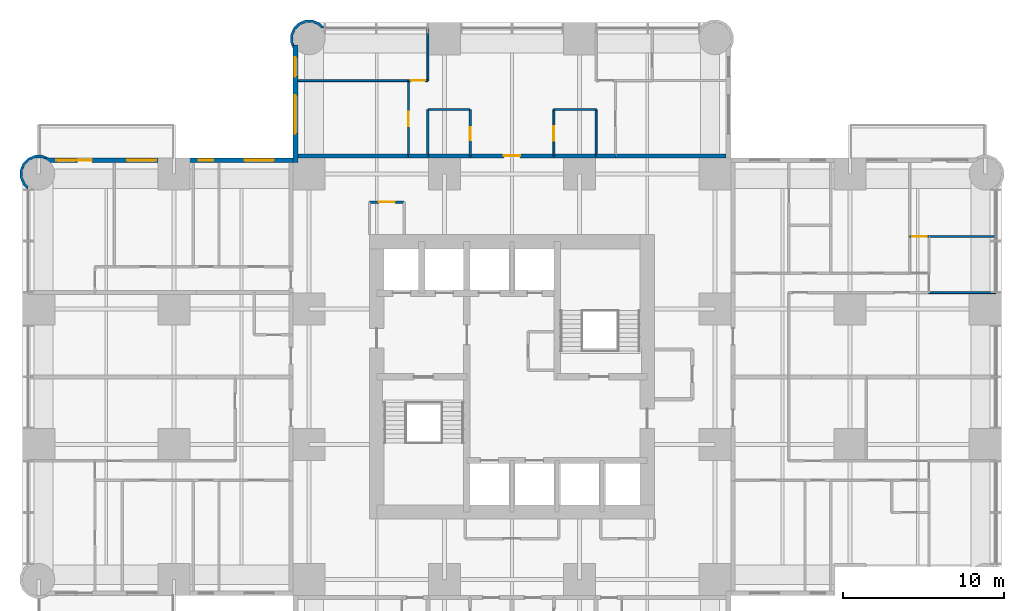
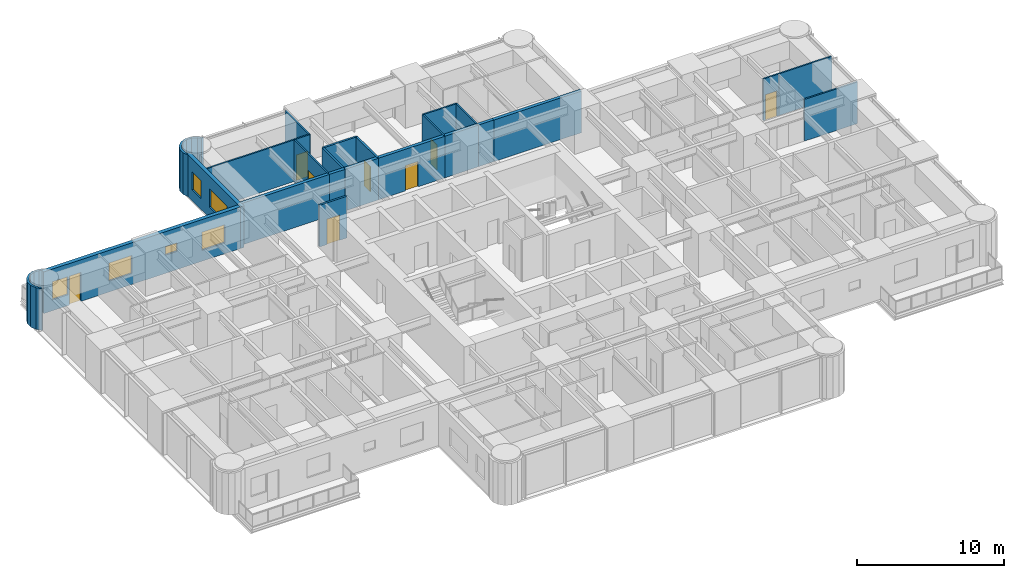
# One storey, part 11 of 14: 25 walls, 8 doors, 6 windows, 14 openings.
"""IFC4 building model written with IfcOpenShell, lengths in metres."""

from ifc_helpers import new_model, si_unit, direction, frame, frame_2d, origin, place, context, subcontext, project, spatial, polyline, rectangle, outline, extrude, material, layer, layer_set, type_object, element, fill, save


model = new_model("IFC4")

# Units and contexts
model_context = context("Model", 3, precision=1e-05, world=origin(), true_north=direction((0.0, 1.0)))
body_context = subcontext(model_context, "Body", "Model", "MODEL_VIEW")
ifc_project = project(units=[si_unit("LENGTHUNIT", "METRE"), si_unit("AREAUNIT", "SQUARE_METRE"), si_unit("VOLUMEUNIT", "CUBIC_METRE"), si_unit("PLANEANGLEUNIT", "RADIAN"), si_unit("MASSUNIT", "GRAM", prefix="KILO")], contexts=[model_context])

# Site, building, storey
site_placement = place(None, origin())
site = spatial("IfcSite", under=ifc_project, at=site_placement, CompositionType="ELEMENT")
building_placement = place(site_placement, origin())
building = spatial("IfcBuilding", under=site, at=building_placement, Name="Torre Alcanfor", CompositionType="ELEMENT")
storey_placement = place(building_placement, frame((0.0, 0.0, 112.5)))
storey = spatial("IfcBuildingStorey", under=building, at=storey_placement, Name="L28", CompositionType="ELEMENT", Elevation=112.5)

# Wall, opening, door
ifc_material_1 = material(Name="Concrete block masonry, hollow blocks NMX-C-404 9 MPa", Category="masonry")
ifc_layer_1 = layer(ifc_material_1, 0.25)
ifc_layer_set_1 = layer_set([ifc_layer_1], Name="Apartment entrance wall 250 EI 60")
wall_type_1 = type_object("IfcWallType", Name="Apartment entrance wall 250 EI 60", PredefinedType="PARTITIONING", material=ifc_layer_set_1)
wall_1_placement = place(storey_placement, frame((26.800048828125, 43.125, 0.0), z_axis=(0.0, 0.0, 1.0), x_axis=(1.0, 0.0, 0.0)))
wall_1 = element("IfcWall", 1, at=wall_1_placement, inside=storey, type_object=wall_type_1, Name="Partition L28-CORR / L28-NX-ZAG", PredefinedType="PARTITIONING", context=body_context, shape_type="SweptSolid", body=[
    extrude(rectangle(XDim=5.199951171875, YDim=0.25, at=frame_2d((2.60009765625, 0.0))), origin(), (0.0, 0.0, 1.0), 3.449951171875),
])
opening_1_placement = place(wall_1_placement, frame((2.10009765625, 0.0, 0.0)))
opening_1 = element("IfcOpeningElement", 2, at=opening_1_placement, cuts=wall_1, Name="Opening D-A1", PredefinedType="OPENING", context=body_context, shape_type="SweptSolid", body=[
    extrude(rectangle(XDim=1.0, YDim=2.10009765625, at=frame_2d((0.5, 1.050048828125))), frame((0.0, 0.135009765625, 0.0), z_axis=(0.0, -1.0, 0.0), x_axis=(1.0, 0.0, 0.0)), (0.0, 0.0, 1.0), 0.27001953125),
])
ifc_material_2 = material(Name="Galvanised steel sheet ASTM A653", Category="steel")
door_type_1 = type_object("IfcDoorType", Name="Apartment entrance door FD60 1000x2100", OperationType="SINGLE_SWING_LEFT", PredefinedType="DOOR", material=ifc_material_2)
door_1_placement = place(opening_1_placement, origin())
door_1 = element("IfcDoor", 3, at=door_1_placement, inside=storey, type_object=door_type_1, Name="Apartment entrance L28-NX", OperationType="SINGLE_SWING_LEFT", OverallHeight=2.10009765625, OverallWidth=1.0, PredefinedType="DOOR", context=body_context, shape_type="SweptSolid", body=[
    extrude(rectangle(XDim=1.0, YDim=2.10009765625, at=frame_2d((0.5, 1.050048828125))), frame((0.0, 0.02490234375, 0.0), z_axis=(0.0, -1.0, 0.0), x_axis=(1.0, 0.0, 0.0)), (0.0, 0.0, 1.0), 0.050048828125),
])
fill(opening_1, door_1)

# Walls
wall_2_placement = place(storey_placement, frame((24.1708984375, 43.125, 0.0), z_axis=(0.0, 0.0, 1.0), x_axis=(1.0, 0.0, 0.0)))
element("IfcWall", 4, at=wall_2_placement, inside=storey, type_object=wall_type_1, Name="Partition L28-CORR / L28-NX-BATH2", PredefinedType="PARTITIONING", context=body_context, shape_type="SweptSolid", body=[
    extrude(rectangle(XDim=2.629150390625, YDim=0.25, at=frame_2d((1.314453125, 0.0))), origin(), (0.0, 0.0, 1.0), 3.449951171875),
])
wall_3_placement = place(storey_placement, frame((32.0, 43.125, 0.0), z_axis=(0.0, 0.0, 1.0), x_axis=(1.0, 0.0, 0.0)))
element("IfcWall", 5, at=wall_3_placement, inside=storey, type_object=wall_type_1, Name="Partition L28-CORR / L28-NX-KITCHEN", PredefinedType="PARTITIONING", context=body_context, shape_type="SweptSolid", body=[
    extrude(rectangle(XDim=2.62890625, YDim=0.25, at=frame_2d((1.314453125, 0.0))), origin(), (0.0, 0.0, 1.0), 3.449951171875),
])
wall_4_placement = place(storey_placement, frame((22.970947265625, 43.125, 0.0), z_axis=(0.0, 0.0, 1.0), x_axis=(1.0, 0.0, 0.0)))
element("IfcWall", 6, at=wall_4_placement, inside=storey, type_object=wall_type_1, Name="Partition L28-CORR / L28-NX-LIVING", PredefinedType="PARTITIONING", context=body_context, shape_type="SweptSolid", body=[
    extrude(rectangle(XDim=1.199951171875, YDim=0.25, at=frame_2d((0.60009765625, 0.0))), origin(), (0.0, 0.0, 1.0), 3.449951171875),
])
wall_5_placement = place(storey_placement, frame((34.62890625, 43.125, 0.0), z_axis=(0.0, 0.0, 1.0), x_axis=(1.0, 0.0, 0.0)))
element("IfcWall", 7, at=wall_5_placement, inside=storey, type_object=wall_type_1, Name="Partition L28-CORR / L28-NX-LIVING", PredefinedType="PARTITIONING", context=body_context, shape_type="SweptSolid", body=[
    extrude(rectangle(XDim=1.2001953125, YDim=0.25, at=frame_2d((0.60009765625, 0.0))), origin(), (0.0, 0.0, 1.0), 3.449951171875),
])
for number, where, z_axis, x_axis, name in (
    (8, (16.10009765625, 43.125, 0.0), (0.0, 0.0, 1.0), (1.0, 0.0, 0.0), "Partition L28-CORR / L28-NX-BED2"),
    (9, (35.8291015625, 43.125, 0.0), (0.0, 0.0, 1.0), (1.0, 0.0, 0.0), "Partition L28-CORR / L28-NX-BED3"),
):
    element("IfcWall", number, at=place(storey_placement, frame(where, z_axis=z_axis, x_axis=x_axis)), inside=storey, type_object=wall_type_1, Name=name, PredefinedType="PARTITIONING", context=body_context, shape_type="SweptSolid", body=[
        extrude(rectangle(XDim=6.870849609375, YDim=0.25, at=frame_2d((3.435546875, 0.0))), origin(), (0.0, 0.0, 1.0), 3.449951171875),
    ])

# Wall, opening, door
ifc_material_3 = material(Name="Gypsum board on steel studs", Category="steel")
ifc_layer_2 = layer(ifc_material_3, 0.1201171875)
ifc_layer_set_2 = layer_set([ifc_layer_2], Name="Apartment partition 120")
wall_type_2 = type_object("IfcWallType", Name="Apartment partition 120", PredefinedType="PARTITIONING", material=ifc_layer_set_2)
wall_6_placement = place(storey_placement, frame((32.0, 43.125, 0.0), z_axis=(0.0, 0.0, 1.0), x_axis=(0.0, 1.0, 0.0)))
wall_6 = element("IfcWall", 10, at=wall_6_placement, inside=storey, type_object=wall_type_2, Name="Partition L28-NX-ZAG / L28-NX-KITCHEN", PredefinedType="PARTITIONING", context=body_context, shape_type="SweptSolid", body=[
    extrude(rectangle(XDim=2.875, YDim=0.1201171875, at=frame_2d((1.4375, 0.0))), origin(), (0.0, 0.0, 1.0), 3.449951171875),
])
opening_2_placement = place(wall_6_placement, frame((0.925048828125, 0.0, 0.0)))
opening_2 = element("IfcOpeningElement", 11, at=opening_2_placement, cuts=wall_6, Name="Opening D-R1", PredefinedType="OPENING", context=body_context, shape_type="SweptSolid", body=[
    extrude(rectangle(XDim=0.89990234375, YDim=2.10009765625, at=frame_2d((0.449951171875, 1.050048828125))), frame((0.0, 0.070068359375, 0.0), z_axis=(0.0, -1.0, 0.0), x_axis=(1.0, 0.0, 0.0)), (0.0, 0.0, 1.0), 0.14013671875),
])
ifc_material_4 = material(Name="Timber", Category="wood")
door_type_2 = type_object("IfcDoorType", Name="Internal door 900x2100", OperationType="SINGLE_SWING_LEFT", PredefinedType="DOOR", material=ifc_material_4)
door_2_placement = place(opening_2_placement, frame((0.89990234375, 0.0, 0.0), z_axis=(0.0, 0.0, 1.0), x_axis=(-1.0, 0.0, 0.0)))
door_2 = element("IfcDoor", 12, at=door_2_placement, inside=storey, type_object=door_type_2, Name="Door L28-NX kitchen", OperationType="SINGLE_SWING_RIGHT", OverallHeight=2.10009765625, OverallWidth=0.89990234375, PredefinedType="DOOR", context=body_context, shape_type="SweptSolid", body=[
    extrude(rectangle(XDim=0.89990234375, YDim=2.10009765625, at=frame_2d((0.449951171875, 1.050048828125))), frame((0.0, 0.025146484375, 0.0), z_axis=(0.0, -1.0, 0.0), x_axis=(1.0, 0.0, 0.0)), (0.0, 0.0, 1.0), 0.050048828125),
])
fill(opening_2, door_2)

# Walls
wall_7_placement = place(storey_placement, frame((34.62890625, 43.125, 0.0), z_axis=(0.0, 0.0, 1.0), x_axis=(0.0, 1.0, 0.0)))
element("IfcWall", 13, at=wall_7_placement, inside=storey, type_object=wall_type_2, Name="Partition L28-NX-KITCHEN / L28-NX-LIVING", PredefinedType="PARTITIONING", context=body_context, shape_type="SweptSolid", body=[
    extrude(rectangle(XDim=2.875, YDim=0.1201171875, at=frame_2d((1.4375, 0.0))), origin(), (0.0, 0.0, 1.0), 3.449951171875),
])
wall_8_placement = place(storey_placement, frame((34.62890625, 46.0, 0.0), z_axis=(0.0, 0.0, 1.0), x_axis=(-1.0, 0.0, 0.0)))
element("IfcWall", 14, at=wall_8_placement, inside=storey, type_object=wall_type_2, Name="Partition L28-NX-KITCHEN / L28-NX-LIVING", PredefinedType="PARTITIONING", context=body_context, shape_type="SweptSolid", body=[
    extrude(rectangle(XDim=2.62890625, YDim=0.1201171875, at=frame_2d((1.314453125, 0.0))), origin(), (0.0, 0.0, 1.0), 3.449951171875),
])

# Wall, opening, door
wall_9_placement = place(storey_placement, frame((22.970947265625, 43.125, 0.0), z_axis=(0.0, 0.0, 1.0), x_axis=(0.0, 1.0, 0.0)))
wall_9 = element("IfcWall", 15, at=wall_9_placement, inside=storey, type_object=wall_type_2, Name="Partition L28-NX-LIVING / L28-NX-BED2", PredefinedType="PARTITIONING", context=body_context, shape_type="SweptSolid", body=[
    extrude(rectangle(XDim=4.675048828125, YDim=0.1201171875, at=frame_2d((2.33740234375, 0.0))), origin(), (0.0, 0.0, 1.0), 3.449951171875),
])
opening_3_placement = place(wall_9_placement, frame((1.824951171875, 0.0, 0.0)))
opening_3 = element("IfcOpeningElement", 16, at=opening_3_placement, cuts=wall_9, Name="Opening D-R1", PredefinedType="OPENING", context=body_context, shape_type="SweptSolid", body=[
    extrude(rectangle(XDim=0.89990234375, YDim=2.10009765625, at=frame_2d((0.449951171875, 1.050048828125))), frame((0.0, 0.070068359375, 0.0), z_axis=(0.0, -1.0, 0.0), x_axis=(1.0, 0.0, 0.0)), (0.0, 0.0, 1.0), 0.14013671875),
])
door_3_placement = place(opening_3_placement, origin())
door_3 = element("IfcDoor", 17, at=door_3_placement, inside=storey, type_object=door_type_2, Name="Door L28-NX bed2", OperationType="SINGLE_SWING_LEFT", OverallHeight=2.10009765625, OverallWidth=0.89990234375, PredefinedType="DOOR", context=body_context, shape_type="SweptSolid", body=[
    extrude(rectangle(XDim=0.89990234375, YDim=2.10009765625, at=frame_2d((0.449951171875, 1.050048828125))), frame((0.0, 0.02490234375, 0.0), z_axis=(0.0, -1.0, 0.0), x_axis=(1.0, 0.0, 0.0)), (0.0, 0.0, 1.0), 0.050048828125),
])
fill(opening_3, door_3)

wall_10_placement = place(storey_placement, frame((22.970947265625, 47.800048828125, 0.0), z_axis=(0.0, 0.0, 1.0), x_axis=(1.0, 0.0, 0.0)))
wall_10 = element("IfcWall", 18, at=wall_10_placement, inside=storey, type_object=wall_type_2, Name="Partition L28-NX-LIVING / L28-NX-MASTER", PredefinedType="PARTITIONING", context=body_context, shape_type="SweptSolid", body=[
    extrude(rectangle(XDim=1.199951171875, YDim=0.1201171875, at=frame_2d((0.60009765625, 0.0))), origin(), (0.0, 0.0, 1.0), 3.449951171875),
])
opening_4_placement = place(wall_10_placement, frame((0.14892578125, 0.0, 0.0)))
opening_4 = element("IfcOpeningElement", 19, at=opening_4_placement, cuts=wall_10, Name="Opening D-R1", PredefinedType="OPENING", context=body_context, shape_type="SweptSolid", body=[
    extrude(rectangle(XDim=0.89990234375, YDim=2.10009765625, at=frame_2d((0.449951171875, 1.050048828125))), frame((0.0, 0.070068359375, 0.0), z_axis=(0.0, -1.0, 0.0), x_axis=(1.0, 0.0, 0.0)), (0.0, 0.0, 1.0), 0.14013671875),
])
door_4_placement = place(opening_4_placement, origin())
door_4 = element("IfcDoor", 20, at=door_4_placement, inside=storey, type_object=door_type_2, Name="Door L28-NX master", OperationType="SINGLE_SWING_RIGHT", OverallHeight=2.10009765625, OverallWidth=0.89990234375, PredefinedType="DOOR", context=body_context, shape_type="SweptSolid", body=[
    extrude(rectangle(XDim=0.89990234375, YDim=2.10009765625, at=frame_2d((0.449951171875, 1.050048828125))), frame((0.0, 0.02490234375, 0.0), z_axis=(0.0, -1.0, 0.0), x_axis=(1.0, 0.0, 0.0)), (0.0, 0.0, 1.0), 0.050048828125),
])
fill(opening_4, door_4)

# Walls
wall_11_placement = place(storey_placement, frame((24.1708984375, 47.800048828125, 0.0), z_axis=(0.0, 0.0, 1.0), x_axis=(0.0, 1.0, 0.0)))
element("IfcWall", 21, at=wall_11_placement, inside=storey, type_object=wall_type_2, Name="Partition L28-NX-LIVING / L28-NX-MASTER", PredefinedType="PARTITIONING", context=body_context, shape_type="SweptSolid", body=[
    extrude(rectangle(XDim=3.25, YDim=0.1201171875, at=frame_2d((1.625, 0.0))), origin(), (0.0, 0.0, 1.0), 3.449951171875),
])
wall_12_placement = place(storey_placement, frame((22.970947265625, 47.800048828125, 0.0), z_axis=(0.0, 0.0, 1.0), x_axis=(-1.0, 0.0, 0.0)))
element("IfcWall", 22, at=wall_12_placement, inside=storey, type_object=wall_type_2, Name="Partition L28-NX-BED2 / L28-NX-MASTER", PredefinedType="PARTITIONING", context=body_context, shape_type="SweptSolid", body=[
    extrude(rectangle(XDim=6.870849609375, YDim=0.1201171875, at=frame_2d((3.435546875, 0.0))), origin(), (0.0, 0.0, 1.0), 3.449951171875),
])
wall_13_placement = place(storey_placement, frame((59.449951171875, 34.62890625, 0.0), z_axis=(0.0, 0.0, 1.0), x_axis=(-1.0, 0.0, 0.0)))
element("IfcWall", 23, at=wall_13_placement, inside=storey, type_object=wall_type_2, Name="Partition L28-E1-LIVING / L28-E1-BED2", PredefinedType="PARTITIONING", context=body_context, shape_type="SweptSolid", body=[
    extrude(rectangle(XDim=4.14990234375, YDim=0.1201171875, at=frame_2d((2.074951171875, 0.0))), origin(), (0.0, 0.0, 1.0), 3.449951171875),
])

# Wall, opening, door
wall_14_placement = place(storey_placement, frame((55.300048828125, 38.114013671875, 0.0), z_axis=(0.0, 0.0, 1.0), x_axis=(-1.0, 0.0, 0.0)))
wall_14 = element("IfcWall", 24, at=wall_14_placement, inside=storey, type_object=wall_type_2, Name="Partition L28-E1-VEST / L28-E1-MASTER", PredefinedType="PARTITIONING", context=body_context, shape_type="SweptSolid", body=[
    extrude(rectangle(XDim=1.199951171875, YDim=0.1201171875, at=frame_2d((0.60009765625, 0.0))), origin(), (0.0, 0.0, 1.0), 3.449951171875),
])
opening_5_placement = place(wall_14_placement, frame((0.14990234375, 0.0, 0.0)))
opening_5 = element("IfcOpeningElement", 25, at=opening_5_placement, cuts=wall_14, Name="Opening D-R1", PredefinedType="OPENING", context=body_context, shape_type="SweptSolid", body=[
    extrude(rectangle(XDim=0.89990234375, YDim=2.10009765625, at=frame_2d((0.449951171875, 1.050048828125))), frame((0.0, 0.070068359375, 0.0), z_axis=(0.0, -1.0, 0.0), x_axis=(1.0, 0.0, 0.0)), (0.0, 0.0, 1.0), 0.14013671875),
])
door_5_placement = place(opening_5_placement, origin())
door_5 = element("IfcDoor", 26, at=door_5_placement, inside=storey, type_object=door_type_2, Name="Door L28-E1 master", OperationType="SINGLE_SWING_LEFT", OverallHeight=2.10009765625, OverallWidth=0.89990234375, PredefinedType="DOOR", context=body_context, shape_type="SweptSolid", body=[
    extrude(rectangle(XDim=0.89990234375, YDim=2.10009765625, at=frame_2d((0.449951171875, 1.050048828125))), frame((0.0, 0.02490234375, 0.0), z_axis=(0.0, -1.0, 0.0), x_axis=(1.0, 0.0, 0.0)), (0.0, 0.0, 1.0), 0.050048828125),
])
fill(opening_5, door_5)

# Wall
wall_15_placement = place(storey_placement, frame((59.449951171875, 38.114013671875, 0.0), z_axis=(0.0, 0.0, 1.0), x_axis=(-1.0, 0.0, 0.0)))
element("IfcWall", 27, at=wall_15_placement, inside=storey, type_object=wall_type_2, Name="Partition L28-E1-BED2 / L28-E1-MASTER", PredefinedType="PARTITIONING", context=body_context, shape_type="SweptSolid", body=[
    extrude(rectangle(XDim=4.14990234375, YDim=0.1201171875, at=frame_2d((2.074951171875, 0.0))), origin(), (0.0, 0.0, 1.0), 3.449951171875),
])

# Wall, openings, door, windows
ifc_material_5 = material(Name="Limestone cladding", Category="masonry")
ifc_layer_3 = layer(ifc_material_5, 0.0400390625, Name="Facing")
ifc_material_6 = material(Name="Ventilated air cavity")
ifc_layer_4 = layer(ifc_material_6, 0.02001953125, ventilated=True, Name="Ventilated joint")
ifc_material_7 = material(Name="Mineral wool insulation", Category="insulation")
ifc_layer_5 = layer(ifc_material_7, 0.10009765625, Name="Insulation")
ifc_material_8 = material(Name="Concrete f'c 35 MPa", Category="concrete")
ifc_layer_6 = layer(ifc_material_8, 0.139892578125, Name="Backing")
ifc_layer_set_3 = layer_set([ifc_layer_3, ifc_layer_4, ifc_layer_5, ifc_layer_6], Name="External wall stone-clad 300")
wall_type_3 = type_object("IfcWallType", Name="External wall stone-clad 300", PredefinedType="SOLIDWALL", material=ifc_layer_set_3)
wall_16_placement = place(storey_placement, frame((15.800048828125, 42.85009765625, 0.0), z_axis=(0.0, 0.0, 1.0), x_axis=(-1.0, 0.0, 0.0)))
wall_16 = element("IfcWall", 28, at=wall_16_placement, inside=storey, type_object=wall_type_3, Name="External wall L28 1", PredefinedType="SOLIDWALL", context=body_context, shape_type="SweptSolid", body=[
    extrude(rectangle(XDim=15.400146484375, YDim=0.300048828125, at=frame_2d((7.7001953125, 0.0))), origin(), (0.0, 0.0, 1.0), 3.449951171875),
])
opening_6_placement = place(wall_16_placement, frame((1.199951171875, 0.0, 0.89990234375)))
opening_6 = element("IfcOpeningElement", 29, at=opening_6_placement, cuts=wall_16, Name="Opening W2", PredefinedType="OPENING", context=body_context, shape_type="SweptSolid", body=[
    extrude(rectangle(XDim=1.800048828125, YDim=1.5, at=frame_2d((0.89990234375, 0.75))), frame((0.0, 0.159912109375, 0.0), z_axis=(0.0, -1.0, 0.0), x_axis=(1.0, 0.0, 0.0)), (0.0, 0.0, 1.0), 0.320068359375),
])
opening_7_placement = place(wall_16_placement, frame((4.949951171875, 0.0, 1.5)))
opening_7 = element("IfcOpeningElement", 30, at=opening_7_placement, cuts=wall_16, Name="Opening W3", PredefinedType="OPENING", context=body_context, shape_type="SweptSolid", body=[
    extrude(rectangle(XDim=0.89990234375, YDim=0.699951171875, at=frame_2d((0.449951171875, 0.35009765625))), frame((0.0, 0.159912109375, 0.0), z_axis=(0.0, -1.0, 0.0), x_axis=(1.0, 0.0, 0.0)), (0.0, 0.0, 1.0), 0.320068359375),
])
opening_8_placement = place(wall_16_placement, frame((8.5, 0.0, 0.89990234375)))
opening_8 = element("IfcOpeningElement", 31, at=opening_8_placement, cuts=wall_16, Name="Opening W2", PredefinedType="OPENING", context=body_context, shape_type="SweptSolid", body=[
    extrude(rectangle(XDim=1.800048828125, YDim=1.5, at=frame_2d((0.89990234375, 0.75))), frame((0.0, 0.159912109375, 0.0), z_axis=(0.0, -1.0, 0.0), x_axis=(1.0, 0.0, 0.0)), (0.0, 0.0, 1.0), 0.320068359375),
])
opening_9_placement = place(wall_16_placement, frame((12.5, 0.0, 0.0)))
opening_9 = element("IfcOpeningElement", 32, at=opening_9_placement, cuts=wall_16, Name="Opening D-B1", PredefinedType="OPENING", context=body_context, shape_type="SweptSolid", body=[
    extrude(rectangle(XDim=0.89990234375, YDim=2.39990234375, at=frame_2d((0.449951171875, 1.199951171875))), frame((0.0, 0.159912109375, 0.0), z_axis=(0.0, -1.0, 0.0), x_axis=(1.0, 0.0, 0.0)), (0.0, 0.0, 1.0), 0.320068359375),
])
opening_10_placement = place(wall_16_placement, frame((13.5, 0.0, 0.89990234375)))
opening_10 = element("IfcOpeningElement", 33, at=opening_10_placement, cuts=wall_16, Name="Opening W4", PredefinedType="OPENING", context=body_context, shape_type="SweptSolid", body=[
    extrude(rectangle(XDim=1.199951171875, YDim=1.5, at=frame_2d((0.60009765625, 0.75))), frame((0.0, 0.159912109375, 0.0), z_axis=(0.0, -1.0, 0.0), x_axis=(1.0, 0.0, 0.0)), (0.0, 0.0, 1.0), 0.320068359375),
])
ifc_material_9 = material(Name="Aluminium and glass", Category="aluminium")
door_type_3 = type_object("IfcDoorType", Name="Balcony door glazed 900x2400", OperationType="SINGLE_SWING_LEFT", PredefinedType="DOOR", material=ifc_material_9)
door_6_placement = place(opening_9_placement, origin())
door_6 = element("IfcDoor", 34, at=door_6_placement, inside=storey, type_object=door_type_3, Name="Balcony door L28-W2", OperationType="SINGLE_SWING_LEFT", OverallHeight=2.39990234375, OverallWidth=0.89990234375, PredefinedType="DOOR", context=body_context, shape_type="SweptSolid", body=[
    extrude(rectangle(XDim=0.89990234375, YDim=2.39990234375, at=frame_2d((0.449951171875, 1.199951171875))), frame((0.0, 0.02490234375, 0.0), z_axis=(0.0, -1.0, 0.0), x_axis=(1.0, 0.0, 0.0)), (0.0, 0.0, 1.0), 0.050048828125),
])
fill(opening_9, door_6)
ifc_material_10 = material(Name="Aluminium frame with clear double glazing", Category="aluminium")
window_type_1 = type_object("IfcWindowType", Name="Window bathroom 900x700", PartitioningType="SINGLE_PANEL", PredefinedType="WINDOW", material=ifc_material_10)
window_1_placement = place(opening_7_placement, origin())
window_1 = element("IfcWindow", 35, at=window_1_placement, inside=storey, type_object=window_type_1, Name="Window W3 L28-W2", OverallHeight=0.699951171875, OverallWidth=0.89990234375, PartitioningType="SINGLE_PANEL", PredefinedType="WINDOW", context=body_context, shape_type="SweptSolid", body=[
    extrude(rectangle(XDim=0.89990234375, YDim=0.699951171875, at=frame_2d((0.449951171875, 0.35009765625))), frame((0.0, 0.030029296875, 0.0), z_axis=(0.0, -1.0, 0.0), x_axis=(1.0, 0.0, 0.0)), (0.0, 0.0, 1.0), 0.06005859375),
])
fill(opening_7, window_1)
ifc_material_11 = material(Name="Aluminium frame with clear double glazing", Category="aluminium")
window_type_2 = type_object("IfcWindowType", Name="Window bedroom 1200x1500", PartitioningType="SINGLE_PANEL", PredefinedType="WINDOW", material=ifc_material_11)
window_2_placement = place(opening_10_placement, origin())
window_2 = element("IfcWindow", 36, at=window_2_placement, inside=storey, type_object=window_type_2, Name="Window W4 L28-W2", OverallHeight=1.5, OverallWidth=1.199951171875, PartitioningType="SINGLE_PANEL", PredefinedType="WINDOW", context=body_context, shape_type="SweptSolid", body=[
    extrude(rectangle(XDim=1.199951171875, YDim=1.5, at=frame_2d((0.60009765625, 0.75))), frame((0.0, 0.030029296875, 0.0), z_axis=(0.0, -1.0, 0.0), x_axis=(1.0, 0.0, 0.0)), (0.0, 0.0, 1.0), 0.06005859375),
])
fill(opening_10, window_2)
ifc_material_12 = material(Name="Aluminium frame with clear double glazing", Category="aluminium")
window_type_3 = type_object("IfcWindowType", Name="Window bedroom 1800x1500", PartitioningType="SINGLE_PANEL", PredefinedType="WINDOW", material=ifc_material_12)
window_3_placement = place(opening_6_placement, origin())
window_3 = element("IfcWindow", 37, at=window_3_placement, inside=storey, type_object=window_type_3, Name="Window W2 L28-W2", OverallHeight=1.5, OverallWidth=1.800048828125, PartitioningType="SINGLE_PANEL", PredefinedType="WINDOW", context=body_context, shape_type="SweptSolid", body=[
    extrude(rectangle(XDim=1.800048828125, YDim=1.5, at=frame_2d((0.89990234375, 0.75))), frame((0.0, 0.030029296875, 0.0), z_axis=(0.0, -1.0, 0.0), x_axis=(1.0, 0.0, 0.0)), (0.0, 0.0, 1.0), 0.06005859375),
])
fill(opening_6, window_3)
window_4_placement = place(opening_8_placement, origin())
window_4 = element("IfcWindow", 38, at=window_4_placement, inside=storey, type_object=window_type_3, Name="Window W2 L28-W2", OverallHeight=1.5, OverallWidth=1.800048828125, PartitioningType="SINGLE_PANEL", PredefinedType="WINDOW", context=body_context, shape_type="SweptSolid", body=[
    extrude(rectangle(XDim=1.800048828125, YDim=1.5, at=frame_2d((0.89990234375, 0.75))), frame((0.0, 0.030029296875, 0.0), z_axis=(0.0, -1.0, 0.0), x_axis=(1.0, 0.0, 0.0)), (0.0, 0.0, 1.0), 0.06005859375),
])
fill(opening_8, window_4)

# Wall, openings, windows
wall_17_placement = place(storey_placement, frame((15.949951171875, 50.0, 0.0), z_axis=(0.0, 0.0, 1.0), x_axis=(0.0, -1.0, 0.0)))
wall_17 = element("IfcWall", 39, at=wall_17_placement, inside=storey, type_object=wall_type_3, Name="External wall L28 12", PredefinedType="SOLIDWALL", context=body_context, shape_type="SweptSolid", body=[
    extrude(rectangle(XDim=7.300048828125, YDim=0.300048828125, at=frame_2d((3.64990234375, 0.0))), origin(), (0.0, 0.0, 1.0), 3.449951171875),
])
opening_11_placement = place(wall_17_placement, frame((3.10009765625, 0.0, 0.89990234375)))
opening_11 = element("IfcOpeningElement", 40, at=opening_11_placement, cuts=wall_17, Name="Opening W1", PredefinedType="OPENING", context=body_context, shape_type="SweptSolid", body=[
    extrude(rectangle(XDim=2.39990234375, YDim=1.5, at=frame_2d((1.199951171875, 0.75))), frame((0.0, 0.159912109375, 0.0), z_axis=(0.0, -1.0, 0.0), x_axis=(1.0, 0.0, 0.0)), (0.0, 0.0, 1.0), 0.320068359375),
])
opening_12_placement = place(wall_17_placement, frame((0.75, 0.0, 0.89990234375)))
opening_12 = element("IfcOpeningElement", 41, at=opening_12_placement, cuts=wall_17, Name="Opening W4", PredefinedType="OPENING", context=body_context, shape_type="SweptSolid", body=[
    extrude(rectangle(XDim=1.199951171875, YDim=1.5, at=frame_2d((0.60009765625, 0.75))), frame((0.0, 0.159912109375, 0.0), z_axis=(0.0, -1.0, 0.0), x_axis=(1.0, 0.0, 0.0)), (0.0, 0.0, 1.0), 0.320068359375),
])
window_5_placement = place(opening_12_placement, origin())
window_5 = element("IfcWindow", 42, at=window_5_placement, inside=storey, type_object=window_type_2, Name="Window W4 L28-N1", OverallHeight=1.5, OverallWidth=1.199951171875, PartitioningType="SINGLE_PANEL", PredefinedType="WINDOW", context=body_context, shape_type="SweptSolid", body=[
    extrude(rectangle(XDim=1.199951171875, YDim=1.5, at=frame_2d((0.60009765625, 0.75))), frame((0.0, 0.030029296875, 0.0), z_axis=(0.0, -1.0, 0.0), x_axis=(1.0, 0.0, 0.0)), (0.0, 0.0, 1.0), 0.06005859375),
])
fill(opening_12, window_5)
ifc_material_13 = material(Name="Aluminium frame with clear double glazing", Category="aluminium")
window_type_4 = type_object("IfcWindowType", Name="Window bedroom 2400x1500", PartitioningType="SINGLE_PANEL", PredefinedType="WINDOW", material=ifc_material_13)
window_6_placement = place(opening_11_placement, origin())
window_6 = element("IfcWindow", 43, at=window_6_placement, inside=storey, type_object=window_type_4, Name="Window W1 L28-N1", OverallHeight=1.5, OverallWidth=2.39990234375, PartitioningType="SINGLE_PANEL", PredefinedType="WINDOW", context=body_context, shape_type="SweptSolid", body=[
    extrude(rectangle(XDim=2.39990234375, YDim=1.5, at=frame_2d((1.199951171875, 0.75))), frame((0.0, 0.030029296875, 0.0), z_axis=(0.0, -1.0, 0.0), x_axis=(1.0, 0.0, 0.0)), (0.0, 0.0, 1.0), 0.06005859375),
])
fill(opening_11, window_6)

# Wall, opening, door
ifc_material_14 = material(Name="Concrete block masonry, hollow blocks NMX-C-404 9 MPa", Category="masonry")
ifc_layer_7 = layer(ifc_material_14, 0.14990234375)
ifc_layer_set_4 = layer_set([ifc_layer_7], Name="Residents' room partition 150")
wall_type_4 = type_object("IfcWallType", Name="Residents' room partition 150", PredefinedType="PARTITIONING", material=ifc_layer_set_4)
wall_18_placement = place(storey_placement, frame((22.699951171875, 40.25, 0.0), z_axis=(0.0, 0.0, 1.0), x_axis=(-1.0, 0.0, 0.0)))
wall_18 = element("IfcWall", 44, at=wall_18_placement, inside=storey, type_object=wall_type_4, Name="Partition L28-CORR / L28-G01", PredefinedType="PARTITIONING", context=body_context, shape_type="SweptSolid", body=[
    extrude(rectangle(XDim=2.14990234375, YDim=0.14990234375, at=frame_2d((1.074951171875, 0.0))), origin(), (0.0, 0.0, 1.0), 3.449951171875),
])
opening_13_placement = place(wall_18_placement, frame((0.574951171875, 0.0, 0.0)))
opening_13 = element("IfcOpeningElement", 45, at=opening_13_placement, cuts=wall_18, Name="Opening D-M1", PredefinedType="OPENING", context=body_context, shape_type="SweptSolid", body=[
    extrude(rectangle(XDim=1.0, YDim=2.10009765625, at=frame_2d((0.5, 1.050048828125))), frame((0.0, 0.0849609375, 0.0), z_axis=(0.0, -1.0, 0.0), x_axis=(1.0, 0.0, 0.0)), (0.0, 0.0, 1.0), 0.169921875),
])
ifc_material_15 = material(Name="Timber", Category="wood")
door_type_4 = type_object("IfcDoorType", Name="Residents' room door 1000x2100", OperationType="SINGLE_SWING_LEFT", PredefinedType="DOOR", material=ifc_material_15)
door_7_placement = place(opening_13_placement, origin())
door_7 = element("IfcDoor", 46, at=door_7_placement, inside=storey, type_object=door_type_4, Name="Door L28-G01 cleaners' store", OperationType="SINGLE_SWING_LEFT", OverallHeight=2.10009765625, OverallWidth=1.0, PredefinedType="DOOR", context=body_context, shape_type="SweptSolid", body=[
    extrude(rectangle(XDim=1.0, YDim=2.10009765625, at=frame_2d((0.5, 1.050048828125))), frame((0.0, 0.02490234375, 0.0), z_axis=(0.0, -1.0, 0.0), x_axis=(1.0, 0.0, 0.0)), (0.0, 0.0, 1.0), 0.050048828125),
])
fill(opening_13, door_7)

# Walls
ifc_layer_8 = layer(ifc_material_5, 0.0400390625, Name="Facing")
ifc_layer_9 = layer(ifc_material_6, 0.02001953125, ventilated=True, Name="Ventilated joint")
ifc_layer_10 = layer(ifc_material_7, 0.10009765625, Name="Insulation")
ifc_layer_11 = layer(ifc_material_8, 0.139892578125, Name="Backing")
ifc_layer_set_5 = layer_set([ifc_layer_8, ifc_layer_9, ifc_layer_10, ifc_layer_11], Name="Rounded corner pier stone-clad 300")
wall_type_5 = type_object("IfcWallType", Name="Rounded corner pier stone-clad 300", PredefinedType="SOLIDWALL", material=ifc_layer_set_5)
wall_19_placement = place(storey_placement, frame((0.56710175, 42.919127633, 0.0), z_axis=(0.0, 0.0, 1.0), x_axis=(-0.831199417842, 0.555974394895, 0.0)))
element("IfcWall", 47, at=wall_19_placement, inside=storey, type_object=wall_type_5, Name="Corner pier L28 13", PredefinedType="SOLIDWALL", context=body_context, shape_type="SweptSolid", body=[
    extrude(outline(polyline([(0.0035346486096882596, -0.09493172298277563), (0.4134762276337793, -0.013116324048090655), (0.7970130683862647, 0.2434245954711461), (1.0531909726939004, 0.6271376014735981), (1.1430288280848282, 1.0799333504065571), (1.0527519446898332, 1.532385418536847), (0.7962110251705964, 1.9159222592893324), (0.41249801916814444, 2.1721001635969683), (0.017275402111477822, 2.2505151054378154), (-0.02310757741748759, 2.223503654123356), (0.074893768557586, 2.0769885223649993), (0.3505674706005393, 2.0222929245428487), (0.6816138269103391, 1.8013802534353145), (0.9031348748761563, 1.470199235388724), (0.9809251585620924, 1.0798881158367415), (0.903383733639781, 0.6890681500412033), (0.6824710625322469, 0.3580217937314035), (0.35129004448565626, 0.13650074576558635), (0.12607933250637846, 0.09160085349504563), (0.1839390144451166, 0.025737524346643142), (0.0035346486096882596, -0.09493172298277563)])), origin(), (0.0, 0.0, 1.0), 3.449951171875),
])
wall_20_placement = place(storey_placement, frame((17.667523535, 51.043275148, 0.0), z_axis=(0.0, 0.0, 1.0), x_axis=(-0.555974394895, 0.831199417842, 0.0)))
element("IfcWall", 48, at=wall_20_placement, inside=storey, type_object=wall_type_5, Name="Corner pier L28 20", PredefinedType="SOLIDWALL", context=body_context, shape_type="SweptSolid", body=[
    extrude(outline(polyline([(0.004434812135092517, -0.09249942278334729), (0.39965742919175906, -0.014084480942500088), (0.7835733647395828, 0.24195768742888202), (1.0401142842588196, 0.6254945281813674), (1.1303239740446964, 1.0782852617932823), (1.0405533122628867, 1.5307423452446163), (0.784308214346133, 1.9147940167286936), (0.40077137359364756, 2.1713349362479306), (-0.009305941366697157, 2.2529474056372436), (0.17109842446873125, 2.132278158307825), (0.11323874252999311, 2.0664148291594224), (0.3386523840546425, 2.0213792009526284), (0.6696304725558614, 1.7999938889230647), (0.8907460732087672, 1.4688117966770113), (0.9682203045219607, 1.0783304963630982), (0.8902942848997708, 0.687816447265744), (0.6689089728702073, 0.3568383587645251), (0.337726880624154, 0.13572275811161938), (0.06225610812657231, 0.08089142435321534), (-0.0357452378485012, -0.06562370740514153), (0.004434812135092517, -0.09249942278334729)])), origin(), (0.0, 0.0, 1.0), 3.449951171875),
])

# Wall, opening, door
ifc_material_16 = material(Name="Cement board on steel studs", Category="steel")
ifc_layer_12 = layer(ifc_material_16, 0.14990234375)
ifc_layer_set_6 = layer_set([ifc_layer_12], Name="Wet area partition 150")
wall_type_6 = type_object("IfcWallType", Name="Wet area partition 150", PredefinedType="PARTITIONING", material=ifc_layer_set_6)
wall_21_placement = place(storey_placement, frame((26.800048828125, 46.0, 0.0), z_axis=(0.0, 0.0, 1.0), x_axis=(0.0, -1.0, 0.0)))
wall_21 = element("IfcWall", 49, at=wall_21_placement, inside=storey, type_object=wall_type_6, Name="Partition L28-NX-ZAG / L28-NX-BATH2", PredefinedType="PARTITIONING", context=body_context, shape_type="SweptSolid", body=[
    extrude(rectangle(XDim=2.875, YDim=0.14990234375, at=frame_2d((1.4375, 0.0))), origin(), (0.0, 0.0, 1.0), 3.449951171875),
])
opening_14_placement = place(wall_21_placement, frame((1.10009765625, 0.0, 0.0)))
opening_14 = element("IfcOpeningElement", 50, at=opening_14_placement, cuts=wall_21, Name="Opening D-R2", PredefinedType="OPENING", context=body_context, shape_type="SweptSolid", body=[
    extrude(rectangle(XDim=0.800048828125, YDim=2.10009765625, at=frame_2d((0.39990234375, 1.050048828125))), frame((0.0, 0.0849609375, 0.0), z_axis=(0.0, -1.0, 0.0), x_axis=(1.0, 0.0, 0.0)), (0.0, 0.0, 1.0), 0.169921875),
])
ifc_material_17 = material(Name="Timber", Category="wood")
door_type_5 = type_object("IfcDoorType", Name="Bathroom door 800x2100", OperationType="SINGLE_SWING_LEFT", PredefinedType="DOOR", material=ifc_material_17)
door_8_placement = place(opening_14_placement, frame((0.800048828125, 0.0, 0.0), z_axis=(0.0, 0.0, 1.0), x_axis=(-1.0, 0.0, 0.0)))
door_8 = element("IfcDoor", 51, at=door_8_placement, inside=storey, type_object=door_type_5, Name="Door L28-NX bath2", OperationType="SINGLE_SWING_LEFT", OverallHeight=2.10009765625, OverallWidth=0.800048828125, PredefinedType="DOOR", context=body_context, shape_type="SweptSolid", body=[
    extrude(rectangle(XDim=0.800048828125, YDim=2.10009765625, at=frame_2d((0.400146484375, 1.050048828125))), frame((0.0, 0.025146484375, 0.0), z_axis=(0.0, -1.0, 0.0), x_axis=(1.0, 0.0, 0.0)), (0.0, 0.0, 1.0), 0.050048828125),
])
fill(opening_14, door_8)

# Walls
wall_22_placement = place(storey_placement, frame((26.800048828125, 46.0, 0.0), z_axis=(0.0, 0.0, 1.0), x_axis=(-1.0, 0.0, 0.0)))
element("IfcWall", 52, at=wall_22_placement, inside=storey, type_object=wall_type_6, Name="Partition L28-NX-BATH2 / L28-NX-LIVING", PredefinedType="PARTITIONING", context=body_context, shape_type="SweptSolid", body=[
    extrude(rectangle(XDim=2.629150390625, YDim=0.14990234375, at=frame_2d((1.314453125, 0.0))), origin(), (0.0, 0.0, 1.0), 3.449951171875),
])
wall_23_placement = place(storey_placement, frame((24.1708984375, 46.0, 0.0), z_axis=(0.0, 0.0, 1.0), x_axis=(0.0, -1.0, 0.0)))
element("IfcWall", 53, at=wall_23_placement, inside=storey, type_object=wall_type_6, Name="Partition L28-NX-BATH2 / L28-NX-LIVING", PredefinedType="PARTITIONING", context=body_context, shape_type="SweptSolid", body=[
    extrude(rectangle(XDim=2.875, YDim=0.14990234375, at=frame_2d((1.4375, 0.0))), origin(), (0.0, 0.0, 1.0), 3.449951171875),
])

save(model, "model.ifc")
